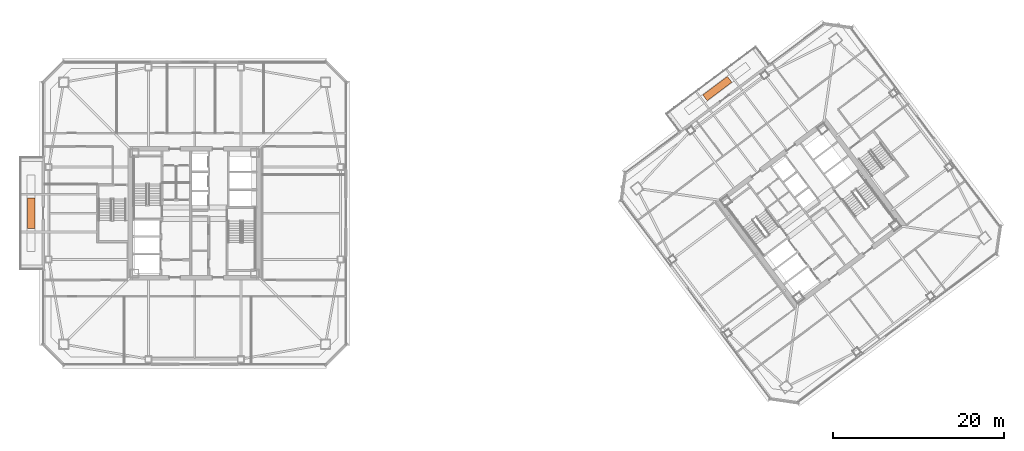
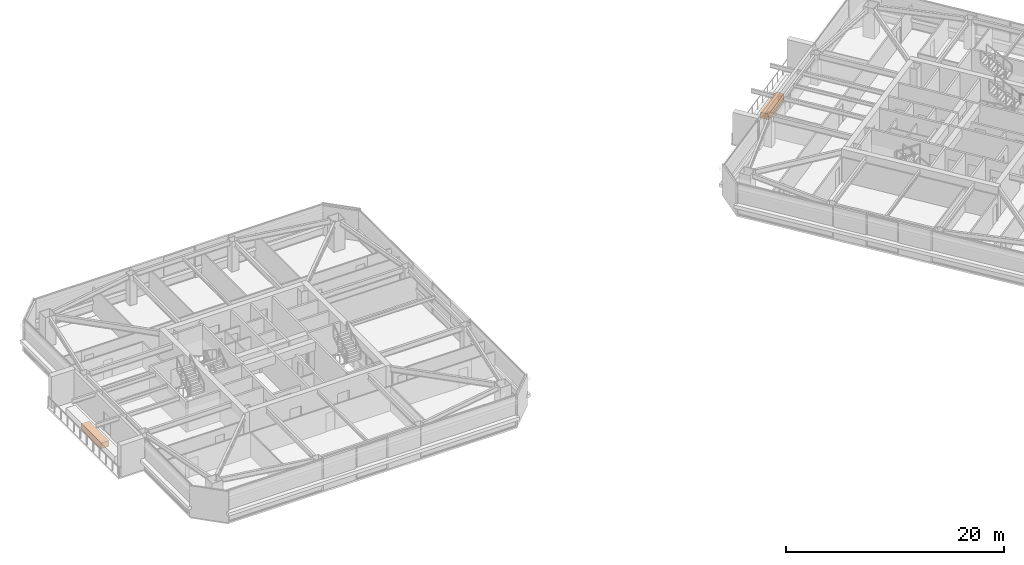
# One storey, part 43 of 43: 2 proxies.
"""IFC4 building model written with IfcOpenShell, lengths in metres."""

from ifc_helpers import new_model, si_unit, direction, frame, origin, origin_2d, place, context, subcontext, project, spatial, rectangle, extrude, material, type_object, element, save


model = new_model("IFC4")

# Units and contexts
model_context = context("Model", 3, precision=1e-05, world=origin(), true_north=direction((0.0, 1.0)))
body_context = subcontext(model_context, "Body", "Model", "MODEL_VIEW")
ifc_project = project(units=[si_unit("LENGTHUNIT", "METRE"), si_unit("AREAUNIT", "SQUARE_METRE"), si_unit("VOLUMEUNIT", "CUBIC_METRE"), si_unit("PLANEANGLEUNIT", "RADIAN"), si_unit("MASSUNIT", "GRAM", prefix="KILO")], contexts=[model_context])

# Site, building, storey
site_placement = place(None, origin())
site = spatial("IfcSite", under=ifc_project, at=site_placement, CompositionType="ELEMENT")
building_placement = place(site_placement, origin())
building = spatial("IfcBuilding", under=site, at=building_placement, Name="Tashvorn Skyway Center", CompositionType="ELEMENT")
storey_placement = place(building_placement, frame((0.0, 0.0, 188.949951171875)))
storey = spatial("IfcBuildingStorey", under=building, at=storey_placement, Name="L51", CompositionType="ELEMENT", Elevation=188.949951171875)

# Proxies
ifc_material = material(Name="Engineered Mojave xeriscape planter concrete C40/50", Category="concrete")
building_element_proxy_type = type_object("IfcBuildingElementProxyType", Name="FURN-PLANTER", PredefinedType="USERDEFINED", material=ifc_material)
for number, where, z_axis, x_axis, name in (
    (1, (22.89990234375, 32.0, 0.0), (0.0, 0.0, 1.0), (0.0, 1.0, 0.0), "Tower 1 L51 Sky Garden Xeriscape PLANTER"),
    (2, (103.080078125, 46.56005859375, 0.0), (0.0, 0.0, 1.0), (0.799999996291, 0.600000004945, 0.0), "Tower 2 L51 Sky Garden Xeriscape PLANTER"),
):
    element("IfcBuildingElementProxy", number, at=place(storey_placement, frame(where, z_axis=z_axis, x_axis=x_axis)), inside=storey, type_object=building_element_proxy_type, Name=name, ObjectType="PLANTER", PredefinedType="USERDEFINED", context=body_context, shape_type="SweptSolid", body=[
        extrude(rectangle(XDim=3.60009765625, YDim=0.85009765625, at=origin_2d()), origin(), (0.0, 0.0, 1.0), 0.64990234375),
    ])

save(model, "model.ifc")
